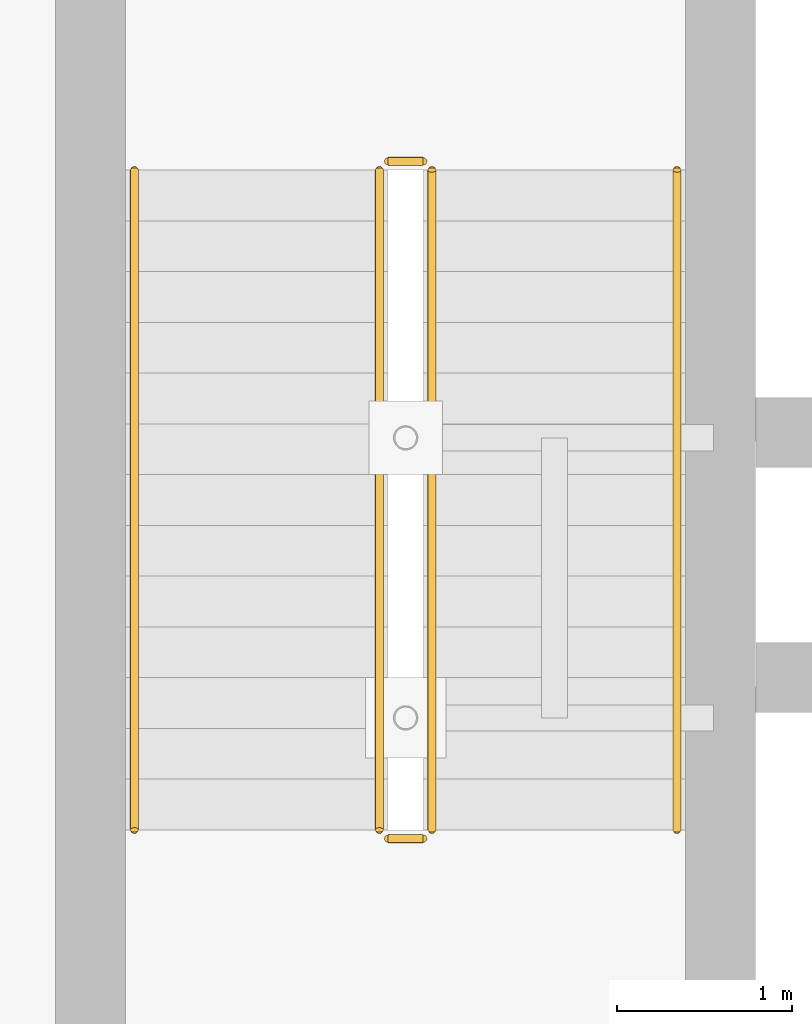
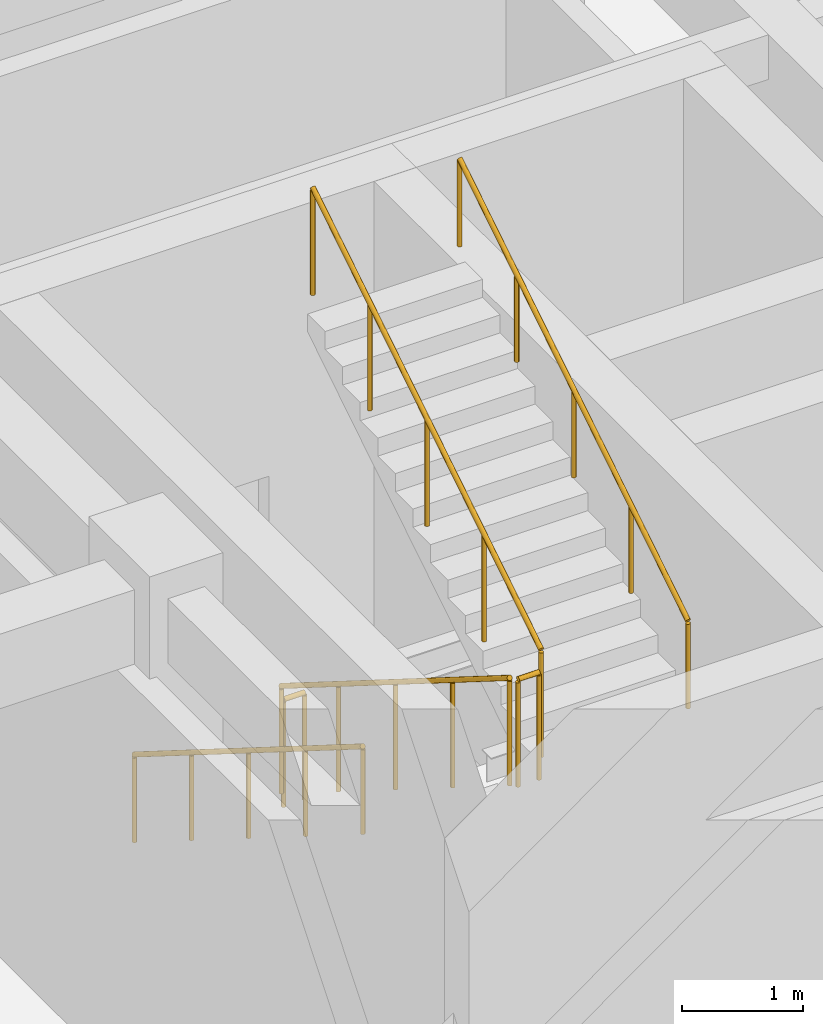
# One storey, part 77 of 80: 6 railings.
"""IFC4 building model written with IfcOpenShell, lengths in metres."""

from ifc_helpers import new_model, si_unit, direction, frame, origin, origin_2d, place, context, subcontext, project, spatial, circle, extrude, material, type_object, element, save


model = new_model("IFC4")

# Units and contexts
model_context = context("Model", 3, precision=1e-05, world=origin(), true_north=direction((0.0, 1.0)))
body_context = subcontext(model_context, "Body", "Model", "MODEL_VIEW")
ifc_project = project(units=[si_unit("LENGTHUNIT", "METRE"), si_unit("AREAUNIT", "SQUARE_METRE"), si_unit("VOLUMEUNIT", "CUBIC_METRE"), si_unit("PLANEANGLEUNIT", "RADIAN"), si_unit("MASSUNIT", "GRAM", prefix="KILO")], contexts=[model_context])

# Site, building, storey
site_placement = place(None, origin())
site = spatial("IfcSite", under=ifc_project, at=site_placement, CompositionType="ELEMENT")
building_placement = place(site_placement, origin())
building = spatial("IfcBuilding", under=site, at=building_placement, Name="Krzemoval Escarpment Law Courts", CompositionType="ELEMENT")
storey_placement = place(building_placement, origin())
storey = spatial("IfcBuildingStorey", under=building, at=storey_placement, Name="L00", CompositionType="ELEMENT", Elevation=0.0)

# Railings
ifc_material_1 = material(Name="Galvanised Steel S355", Category="steel")
railing_type_1 = type_object("IfcRailingType", Name="RL-GRD-1100", PredefinedType="GUARDRAIL", material=ifc_material_1)
railing_1_placement = place(storey_placement, frame((111.75, 29.35009765625, 0.18212890625)))
element("IfcRailing", 1, at=railing_1_placement, inside=storey, type_object=railing_type_1, Name="L00 ST6 stair guard 1", PredefinedType="GUARDRAIL", context=body_context, shape_type="SweptSolid", body=[
    extrude(circle(Radius=0.02392578125, at=origin_2d()), frame((0.0, 0.0, 1.076171875), z_axis=(0.0, -0.846819337722, 0.53188063441), x_axis=(1.0, 0.0, 0.0)), (0.0, 0.0, 1.0), 4.451904296875),
    extrude(circle(Radius=0.02099609375, at=origin_2d()), origin(), (0.0, 0.0, 1.0), 1.052001953125),
    extrude(circle(Radius=0.02099609375, at=origin_2d()), frame((0.0, -0.9423828125, 0.592041015625)), (0.0, 0.0, 1.0), 1.052001953125),
    extrude(circle(Radius=0.02099609375, at=origin_2d()), frame((0.0, -1.885009765625, 1.18408203125)), (0.0, 0.0, 1.0), 1.052001953125),
    extrude(circle(Radius=0.02099609375, at=origin_2d()), frame((0.0, -2.82763671875, 1.77587890625)), (0.0, 0.0, 1.0), 1.052001953125),
    extrude(circle(Radius=0.02099609375, at=origin_2d()), frame((0.0, -3.77001953125, 2.367919921875)), (0.0, 0.0, 1.0), 1.052001953125),
])
railing_2_placement = place(storey_placement, frame((111.800048828125, 25.530029296875, 2.550048828125)))
element("IfcRailing", 2, at=railing_2_placement, inside=storey, type_object=railing_type_1, Name="L00 ST6 stair guard 2", PredefinedType="GUARDRAIL", context=body_context, shape_type="SweptSolid", body=[
    extrude(circle(Radius=0.02392578125, at=origin_2d()), frame((0.0, 0.0, 1.076171875), z_axis=(1.0, 0.0, 0.0), x_axis=(0.0, 1.0, 0.0)), (0.0, 0.0, 1.0), 0.199951171875),
    extrude(circle(Radius=0.02099609375, at=origin_2d()), origin(), (0.0, 0.0, 1.0), 1.052001953125),
    extrude(circle(Radius=0.02099609375, at=origin_2d()), frame((0.199951171875, 0.0, 0.0)), (0.0, 0.0, 1.0), 1.052001953125),
])
railing_3_placement = place(storey_placement, frame((112.050048828125, 25.580078125, 2.732177734375)))
element("IfcRailing", 3, at=railing_3_placement, inside=storey, type_object=railing_type_1, Name="L00 ST6 stair guard 3", PredefinedType="GUARDRAIL", context=body_context, shape_type="SweptSolid", body=[
    extrude(circle(Radius=0.02392578125, at=origin_2d()), frame((0.0, 0.0, 1.076171875), z_axis=(0.0, 0.846819337722, 0.53188063441), x_axis=(-1.0, 0.0, 0.0)), (0.0, 0.0, 1.0), 4.451904296875),
    extrude(circle(Radius=0.02099609375, at=origin_2d()), origin(), (0.0, 0.0, 1.0), 1.052001953125),
    extrude(circle(Radius=0.02099609375, at=origin_2d()), frame((0.0, 0.9423828125, 0.592041015625)), (0.0, 0.0, 1.0), 1.052001953125),
    extrude(circle(Radius=0.02099609375, at=origin_2d()), frame((0.0, 1.885009765625, 1.18408203125)), (0.0, 0.0, 1.0), 1.052001953125),
    extrude(circle(Radius=0.02099609375, at=origin_2d()), frame((0.0, 2.82763671875, 1.77587890625)), (0.0, 0.0, 1.0), 1.052001953125),
    extrude(circle(Radius=0.02099609375, at=origin_2d()), frame((0.0, 3.77001953125, 2.367919921875)), (0.0, 0.0, 1.0), 1.052001953125),
])
railing_4_placement = place(storey_placement, frame((111.800048828125, 29.39990234375, 0.0)))
element("IfcRailing", 4, at=railing_4_placement, inside=storey, type_object=railing_type_1, Name="L00 ST6 stair guard 4", PredefinedType="GUARDRAIL", context=body_context, shape_type="SweptSolid", body=[
    extrude(circle(Radius=0.02392578125, at=origin_2d()), frame((0.0, 0.0, 1.076171875), z_axis=(1.0, 0.0, 0.0), x_axis=(0.0, 1.0, 0.0)), (0.0, 0.0, 1.0), 0.199951171875),
    extrude(circle(Radius=0.02099609375, at=origin_2d()), origin(), (0.0, 0.0, 1.0), 1.052001953125),
    extrude(circle(Radius=0.02099609375, at=origin_2d()), frame((0.199951171875, 0.0, 0.0)), (0.0, 0.0, 1.0), 1.052001953125),
])
ifc_material_2 = material(Name="Brushed Stainless Steel Grade 304 Handrail", Category="steel")
railing_type_2 = type_object("IfcRailingType", Name="RL-HND-900", PredefinedType="HANDRAIL", material=ifc_material_2)
railing_5_placement = place(storey_placement, frame((110.35009765625, 29.35009765625, 0.18212890625)))
element("IfcRailing", 5, at=railing_5_placement, inside=storey, type_object=railing_type_2, Name="L00 ST6 stair handrail 1", PredefinedType="HANDRAIL", context=body_context, shape_type="SweptSolid", body=[
    extrude(circle(Radius=0.02392578125, at=origin_2d()), frame((0.0, 0.0, 0.8759765625), z_axis=(0.0, -0.846819337722, 0.53188063441), x_axis=(1.0, 0.0, 0.0)), (0.0, 0.0, 1.0), 4.451904296875),
    extrude(circle(Radius=0.02099609375, at=origin_2d()), origin(), (0.0, 0.0, 1.0), 0.851806640625),
    extrude(circle(Radius=0.02099609375, at=origin_2d()), frame((0.0, -0.9423828125, 0.592041015625)), (0.0, 0.0, 1.0), 0.851806640625),
    extrude(circle(Radius=0.02099609375, at=origin_2d()), frame((0.0, -1.885009765625, 1.18408203125)), (0.0, 0.0, 1.0), 0.851806640625),
    extrude(circle(Radius=0.02099609375, at=origin_2d()), frame((0.0, -2.82763671875, 1.77587890625)), (0.0, 0.0, 1.0), 0.851806640625),
    extrude(circle(Radius=0.02099609375, at=origin_2d()), frame((0.0, -3.77001953125, 2.367919921875)), (0.0, 0.0, 1.0), 0.851806640625),
])
railing_6_placement = place(storey_placement, frame((113.449951171875, 25.580078125, 2.732177734375)))
element("IfcRailing", 6, at=railing_6_placement, inside=storey, type_object=railing_type_2, Name="L00 ST6 stair handrail 2", PredefinedType="HANDRAIL", context=body_context, shape_type="SweptSolid", body=[
    extrude(circle(Radius=0.02392578125, at=origin_2d()), frame((0.0, 0.0, 0.8759765625), z_axis=(0.0, 0.846819337722, 0.53188063441), x_axis=(-1.0, 0.0, 0.0)), (0.0, 0.0, 1.0), 4.451904296875),
    extrude(circle(Radius=0.02099609375, at=origin_2d()), origin(), (0.0, 0.0, 1.0), 0.851806640625),
    extrude(circle(Radius=0.02099609375, at=origin_2d()), frame((0.0, 0.9423828125, 0.592041015625)), (0.0, 0.0, 1.0), 0.851806640625),
    extrude(circle(Radius=0.02099609375, at=origin_2d()), frame((0.0, 1.885009765625, 1.18408203125)), (0.0, 0.0, 1.0), 0.851806640625),
    extrude(circle(Radius=0.02099609375, at=origin_2d()), frame((0.0, 2.82763671875, 1.77587890625)), (0.0, 0.0, 1.0), 0.851806640625),
    extrude(circle(Radius=0.02099609375, at=origin_2d()), frame((0.0, 3.77001953125, 2.367919921875)), (0.0, 0.0, 1.0), 0.851806640625),
])

save(model, "model.ifc")
